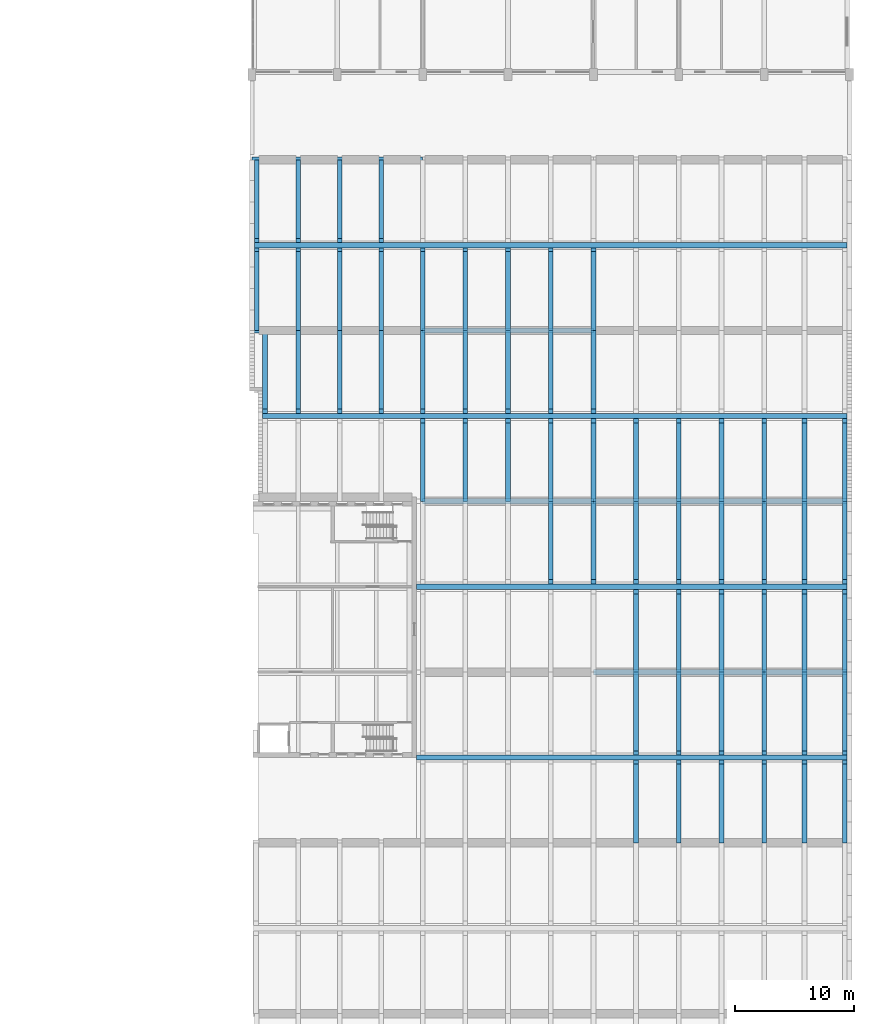
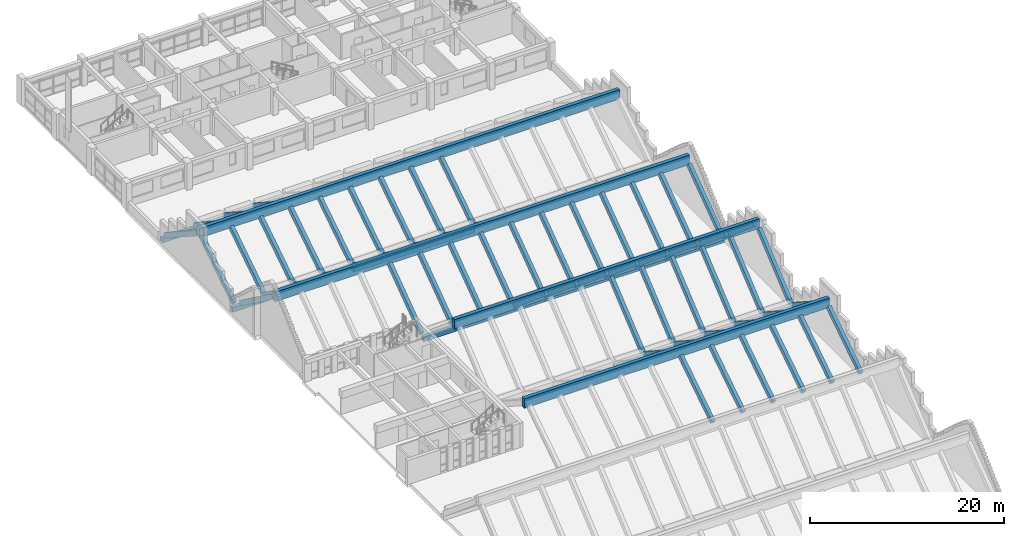
# One storey, part 8 of 31: 71 beams.
"""IFC4 building model written with IfcOpenShell, lengths in metres."""

from ifc_helpers import new_model, si_unit, direction, frame, origin, origin_2d, place, context, subcontext, project, spatial, rectangle, extrude, material, material_profile, profile_set, type_object, element, save


model = new_model("IFC4")

# Units and contexts
model_context = context("Model", 3, precision=1e-05, world=origin(), true_north=direction((0.0, 1.0)))
body_context = subcontext(model_context, "Body", "Model", "MODEL_VIEW")
ifc_project = project(units=[si_unit("LENGTHUNIT", "METRE"), si_unit("AREAUNIT", "SQUARE_METRE"), si_unit("VOLUMEUNIT", "CUBIC_METRE"), si_unit("PLANEANGLEUNIT", "RADIAN"), si_unit("MASSUNIT", "GRAM", prefix="KILO")], contexts=[model_context])

# Site, building, storey
site_placement = place(None, origin())
site = spatial("IfcSite", under=ifc_project, at=site_placement, CompositionType="ELEMENT")
building_placement = place(site_placement, origin())
building = spatial("IfcBuilding", under=site, at=building_placement, Name="Vermilion Court Aquatics Centre", CompositionType="ELEMENT")
storey_placement = place(building_placement, frame((0.0, 0.0, 16.5)))
storey = spatial("IfcBuildingStorey", under=building, at=storey_placement, Name="L03", CompositionType="ELEMENT", Elevation=16.5)

# Beams
ifc_material_1 = material(Name="Concrete 5000 psi", Category="concrete")
ifc_material_profile_1 = material_profile(ifc_material_1, rectangle(XDim=0.39990234375, YDim=0.60009765625, at=origin_2d()), Name="RC 400x600")
ifc_profile_set_1 = profile_set([ifc_material_profile_1], Name="Concrete 5000 psi")
beam_type_1 = type_object("IfcBeamType", Name="Podium roof rafter RC 400x600", PredefinedType="BEAM", material=ifc_profile_set_1)
for number, where, z_axis, x_axis, name in (
    (1, (176.39990234375, 28.9638671875, 0.8515625), (0.0, 0.83866661958, 0.544645114916), (-1.0, 0.0, 0.0), "Roof rafter"),
    (2, (176.39990234375, 43.0361328125, 0.8515625), (0.0, -0.83866661958, 0.544645114916), (1.0, 0.0, 0.0), "Roof rafter"),
    (3, (180.0, 28.9638671875, 0.8515625), (0.0, 0.83866661958, 0.544645114916), (-1.0, 0.0, 0.0), "Roof rafter"),
    (4, (180.0, 43.0361328125, 0.8515625), (0.0, -0.83866661958, 0.544645114916), (1.0, 0.0, 0.0), "Roof rafter"),
    (5, (183.60009765625, 28.9638671875, 0.8515625), (0.0, 0.83866661958, 0.544645114916), (-1.0, 0.0, 0.0), "Roof rafter"),
    (6, (183.60009765625, 43.0361328125, 0.8515625), (0.0, -0.83866661958, 0.544645114916), (1.0, 0.0, 0.0), "Roof rafter"),
    (7, (187.199951171875, 28.9638671875, 0.8515625), (0.0, 0.83866661958, 0.544645114916), (-1.0, 0.0, 0.0), "Roof rafter"),
    (8, (187.199951171875, 43.0361328125, 0.8515625), (0.0, -0.83866661958, 0.544645114916), (1.0, 0.0, 0.0), "Roof rafter"),
    (9, (190.60009765625, 28.9638671875, 0.8515625), (0.0, 0.83866661958, 0.544645114916), (-1.0, 0.0, 0.0), "Roof rafter"),
    (10, (190.60009765625, 43.0361328125, 0.8515625), (0.0, -0.83866661958, 0.544645114916), (1.0, 0.0, 0.0), "Roof rafter"),
    (11, (194.0, 28.9638671875, 0.8515625), (0.0, 0.83866661958, 0.544645114916), (-1.0, 0.0, 0.0), "Roof rafter"),
    (12, (194.0, 43.0361328125, 0.8515625), (0.0, -0.83866661958, 0.544645114916), (1.0, 0.0, 0.0), "Roof rafter"),
):
    element("IfcBeam", number, at=place(storey_placement, frame(where, z_axis=z_axis, x_axis=x_axis)), inside=storey, type_object=beam_type_1, Name=name, PredefinedType="BEAM", context=body_context, shape_type="SweptSolid", body=[
        extrude(rectangle(XDim=0.39990234375, YDim=0.60009765625, at=origin_2d()), origin(), (0.0, 0.0, 1.0), 7.926513671875),
    ])
for number, where, z_axis, x_axis, name in (
    (13, (169.199951171875, 57.40673828125, 0.829833984375), (0.0, -0.76605312053, 0.642777268209), (1.0, 0.0, 0.0), "Roof rafter"),
    (14, (172.800048828125, 57.40673828125, 0.829833984375), (0.0, -0.76605312053, 0.642777268209), (1.0, 0.0, 0.0), "Roof rafter"),
    (15, (176.39990234375, 43.393310546875, 0.829833984375), (0.0, 0.76605312053, 0.642777268209), (-1.0, 0.0, 0.0), "Roof rafter"),
    (16, (176.39990234375, 57.40673828125, 0.829833984375), (0.0, -0.76605312053, 0.642777268209), (1.0, 0.0, 0.0), "Roof rafter"),
    (17, (180.0, 43.393310546875, 0.829833984375), (0.0, 0.76605312053, 0.642777268209), (-1.0, 0.0, 0.0), "Roof rafter"),
    (18, (180.0, 57.40673828125, 0.829833984375), (0.0, -0.76605312053, 0.642777268209), (1.0, 0.0, 0.0), "Roof rafter"),
    (19, (183.60009765625, 43.393310546875, 0.829833984375), (0.0, 0.76605312053, 0.642777268209), (-1.0, 0.0, 0.0), "Roof rafter"),
    (20, (183.60009765625, 57.40673828125, 0.829833984375), (0.0, -0.76605312053, 0.642777268209), (1.0, 0.0, 0.0), "Roof rafter"),
    (21, (187.199951171875, 43.393310546875, 0.829833984375), (0.0, 0.76605312053, 0.642777268209), (-1.0, 0.0, 0.0), "Roof rafter"),
    (22, (187.199951171875, 57.40673828125, 0.829833984375), (0.0, -0.76605312053, 0.642777268209), (1.0, 0.0, 0.0), "Roof rafter"),
    (23, (190.60009765625, 43.393310546875, 0.829833984375), (0.0, 0.76605312053, 0.642777268209), (-1.0, 0.0, 0.0), "Roof rafter"),
    (24, (190.60009765625, 57.40673828125, 0.829833984375), (0.0, -0.76605312053, 0.642777268209), (1.0, 0.0, 0.0), "Roof rafter"),
    (25, (194.0, 43.393310546875, 0.829833984375), (0.0, 0.76605312053, 0.642777268209), (-1.0, 0.0, 0.0), "Roof rafter"),
    (26, (194.0, 57.40673828125, 0.829833984375), (0.0, -0.76605312053, 0.642777268209), (1.0, 0.0, 0.0), "Roof rafter"),
):
    element("IfcBeam", number, at=place(storey_placement, frame(where, z_axis=z_axis, x_axis=x_axis)), inside=storey, type_object=beam_type_1, Name=name, PredefinedType="BEAM", context=body_context, shape_type="SweptSolid", body=[
        extrude(rectangle(XDim=0.39990234375, YDim=0.60009765625, at=origin_2d()), origin(), (0.0, 0.0, 1.0), 8.60107421875),
    ])
for number, where, z_axis, x_axis, name in (
    (27, (145.10009765625, 71.8232421875, 0.8427734375), (0.0, -0.809017178583, 0.587784998752), (1.0, 0.0, 0.0), "Roof rafter"),
    (28, (147.89990234375, 71.8232421875, 0.8427734375), (0.0, -0.809017178583, 0.587784998752), (1.0, 0.0, 0.0), "Roof rafter"),
    (29, (151.39990234375, 71.8232421875, 0.8427734375), (0.0, -0.809017178583, 0.587784998752), (1.0, 0.0, 0.0), "Roof rafter"),
    (30, (154.89990234375, 71.8232421875, 0.8427734375), (0.0, -0.809017178583, 0.587784998752), (1.0, 0.0, 0.0), "Roof rafter"),
    (31, (158.39990234375, 57.77685546875, 0.8427734375), (0.0, 0.809017178583, 0.587784998752), (-1.0, 0.0, 0.0), "Roof rafter"),
    (32, (158.39990234375, 71.8232421875, 0.8427734375), (0.0, -0.809017178583, 0.587784998752), (1.0, 0.0, 0.0), "Roof rafter"),
    (33, (162.0, 57.77685546875, 0.8427734375), (0.0, 0.809017178583, 0.587784998752), (-1.0, 0.0, 0.0), "Roof rafter"),
    (34, (162.0, 71.8232421875, 0.8427734375), (0.0, -0.809017178583, 0.587784998752), (1.0, 0.0, 0.0), "Roof rafter"),
    (35, (165.60009765625, 57.77685546875, 0.8427734375), (0.0, 0.809017178583, 0.587784998752), (-1.0, 0.0, 0.0), "Roof rafter"),
    (36, (165.60009765625, 71.8232421875, 0.8427734375), (0.0, -0.809017178583, 0.587784998752), (1.0, 0.0, 0.0), "Roof rafter"),
    (37, (169.199951171875, 57.77685546875, 0.8427734375), (0.0, 0.809017178583, 0.587784998752), (-1.0, 0.0, 0.0), "Roof rafter"),
    (38, (169.199951171875, 71.8232421875, 0.8427734375), (0.0, -0.809017178583, 0.587784998752), (1.0, 0.0, 0.0), "Roof rafter"),
    (39, (172.800048828125, 57.77685546875, 0.8427734375), (0.0, 0.809017178583, 0.587784998752), (-1.0, 0.0, 0.0), "Roof rafter"),
    (40, (172.800048828125, 71.8232421875, 0.8427734375), (0.0, -0.809017178583, 0.587784998752), (1.0, 0.0, 0.0), "Roof rafter"),
    (41, (176.39990234375, 57.77685546875, 0.8427734375), (0.0, 0.809017178583, 0.587784998752), (-1.0, 0.0, 0.0), "Roof rafter"),
    (42, (180.0, 57.77685546875, 0.8427734375), (0.0, 0.809017178583, 0.587784998752), (-1.0, 0.0, 0.0), "Roof rafter"),
    (43, (183.60009765625, 57.77685546875, 0.8427734375), (0.0, 0.809017178583, 0.587784998752), (-1.0, 0.0, 0.0), "Roof rafter"),
    (44, (187.199951171875, 57.77685546875, 0.8427734375), (0.0, 0.809017178583, 0.587784998752), (-1.0, 0.0, 0.0), "Roof rafter"),
    (45, (190.60009765625, 57.77685546875, 0.8427734375), (0.0, 0.809017178583, 0.587784998752), (-1.0, 0.0, 0.0), "Roof rafter"),
    (46, (194.0, 57.77685546875, 0.8427734375), (0.0, 0.809017178583, 0.587784998752), (-1.0, 0.0, 0.0), "Roof rafter"),
):
    element("IfcBeam", number, at=place(storey_placement, frame(where, z_axis=z_axis, x_axis=x_axis)), inside=storey, type_object=beam_type_1, Name=name, PredefinedType="BEAM", context=body_context, shape_type="SweptSolid", body=[
        extrude(rectangle(XDim=0.39990234375, YDim=0.60009765625, at=origin_2d()), origin(), (0.0, 0.0, 1.0), 8.18505859375),
    ])
for number, where, z_axis, x_axis, name in (
    (47, (144.39990234375, 72.163818359375, 0.8515625), (0.0, 0.83866661958, 0.544645114916), (-1.0, 0.0, 0.0), "Roof rafter"),
    (48, (144.39990234375, 86.236083984375, 0.8515625), (0.0, -0.83866661958, 0.544645114916), (1.0, 0.0, 0.0), "Roof rafter"),
    (49, (147.89990234375, 72.163818359375, 0.8515625), (0.0, 0.83866661958, 0.544645114916), (-1.0, 0.0, 0.0), "Roof rafter"),
    (50, (147.89990234375, 86.236083984375, 0.8515625), (0.0, -0.83866661958, 0.544645114916), (1.0, 0.0, 0.0), "Roof rafter"),
    (51, (151.39990234375, 72.163818359375, 0.8515625), (0.0, 0.83866661958, 0.544645114916), (-1.0, 0.0, 0.0), "Roof rafter"),
    (52, (151.39990234375, 86.236083984375, 0.8515625), (0.0, -0.83866661958, 0.544645114916), (1.0, 0.0, 0.0), "Roof rafter"),
    (53, (154.89990234375, 72.163818359375, 0.8515625), (0.0, 0.83866661958, 0.544645114916), (-1.0, 0.0, 0.0), "Roof rafter"),
    (54, (154.89990234375, 86.236083984375, 0.8515625), (0.0, -0.83866661958, 0.544645114916), (1.0, 0.0, 0.0), "Roof rafter"),
    (55, (158.39990234375, 72.163818359375, 0.8515625), (0.0, 0.83866661958, 0.544645114916), (-1.0, 0.0, 0.0), "Roof rafter"),
    (56, (162.0, 72.163818359375, 0.8515625), (0.0, 0.83866661958, 0.544645114916), (-1.0, 0.0, 0.0), "Roof rafter"),
    (57, (165.60009765625, 72.163818359375, 0.8515625), (0.0, 0.83866661958, 0.544645114916), (-1.0, 0.0, 0.0), "Roof rafter"),
    (58, (169.199951171875, 72.163818359375, 0.8515625), (0.0, 0.83866661958, 0.544645114916), (-1.0, 0.0, 0.0), "Roof rafter"),
    (59, (172.800048828125, 72.163818359375, 0.8515625), (0.0, 0.83866661958, 0.544645114916), (-1.0, 0.0, 0.0), "Roof rafter"),
):
    element("IfcBeam", number, at=place(storey_placement, frame(where, z_axis=z_axis, x_axis=x_axis)), inside=storey, type_object=beam_type_1, Name=name, PredefinedType="BEAM", context=body_context, shape_type="SweptSolid", body=[
        extrude(rectangle(XDim=0.39990234375, YDim=0.60009765625, at=origin_2d()), origin(), (0.0, 0.0, 1.0), 7.926513671875),
    ])
ifc_material_2 = material(Name="Concrete 5000 psi", Category="concrete")
ifc_material_profile_2 = material_profile(ifc_material_2, rectangle(XDim=0.449951171875, YDim=1.199951171875, at=origin_2d()), Name="RC 450x1200")
ifc_profile_set_2 = profile_set([ifc_material_profile_2], Name="Concrete 5000 psi")
beam_type_2 = type_object("IfcBeamType", Name="Podium roof ridge beam RC 450x1200", PredefinedType="BEAM", material=ifc_profile_set_2)
for number, where, z_axis, x_axis, name in (
    (60, (157.89990234375, 36.0, 5.51708984375), (1.0, 0.0, 0.0), (0.0, 1.0, 0.0), "Roof ridge beam"),
    (61, (157.89990234375, 50.39990234375, 6.728759765625), (1.0, 0.0, 0.0), (0.0, 1.0, 0.0), "Roof ridge beam"),
):
    element("IfcBeam", number, at=place(storey_placement, frame(where, z_axis=z_axis, x_axis=x_axis)), inside=storey, type_object=beam_type_2, Name=name, PredefinedType="BEAM", context=body_context, shape_type="SweptSolid", body=[
        extrude(rectangle(XDim=0.449951171875, YDim=1.199951171875, at=origin_2d()), origin(), (0.0, 0.0, 1.0), 36.300048828125),
    ])
beam_1_placement = place(storey_placement, frame((144.89990234375, 64.800048828125, 6.010986328125), z_axis=(1.0, 0.0, 0.0), x_axis=(0.0, 1.0, 0.0)))
element("IfcBeam", 62, at=beam_1_placement, inside=storey, type_object=beam_type_2, Name="Roof ridge beam", PredefinedType="BEAM", context=body_context, shape_type="SweptSolid", body=[
    extrude(rectangle(XDim=0.449951171875, YDim=1.199951171875, at=origin_2d()), origin(), (0.0, 0.0, 1.0), 49.300048828125),
])
beam_2_placement = place(storey_placement, frame((144.199951171875, 79.199951171875, 5.51708984375), z_axis=(1.0, 0.0, 0.0), x_axis=(0.0, 1.0, 0.0)))
element("IfcBeam", 63, at=beam_2_placement, inside=storey, type_object=beam_type_2, Name="Roof ridge beam", PredefinedType="BEAM", context=body_context, shape_type="SweptSolid", body=[
    extrude(rectangle(XDim=0.449951171875, YDim=1.199951171875, at=origin_2d()), origin(), (0.0, 0.0, 1.0), 50.0),
])
ifc_material_3 = material(Name="Concrete 5000 psi", Category="concrete")
ifc_material_profile_3 = material_profile(ifc_material_3, rectangle(XDim=0.449951171875, YDim=0.60009765625, at=origin_2d()), Name="RC 450x600")
ifc_profile_set_3 = profile_set([ifc_material_profile_3], Name="Concrete 5000 psi")
beam_type_3 = type_object("IfcBeamType", Name="Podium roof valley beam RC 450x600", PredefinedType="BEAM", material=ifc_profile_set_3)
beam_3_placement = place(storey_placement, frame((172.800048828125, 43.199951171875, 0.300048828125), z_axis=(1.0, 0.0, 0.0), x_axis=(0.0, 1.0, 0.0)))
element("IfcBeam", 64, at=beam_3_placement, inside=storey, type_object=beam_type_3, Name="Roof valley beam", PredefinedType="BEAM", context=body_context, shape_type="SweptSolid", body=[
    extrude(rectangle(XDim=0.449951171875, YDim=0.60009765625, at=origin_2d()), origin(), (0.0, 0.0, 1.0), 14.39990234375),
])
beam_4_placement = place(storey_placement, frame((187.199951171875, 43.199951171875, 0.300048828125), z_axis=(1.0, 0.0, 0.0), x_axis=(0.0, 1.0, 0.0)))
element("IfcBeam", 65, at=beam_4_placement, inside=storey, type_object=beam_type_3, Name="Roof valley beam", PredefinedType="BEAM", context=body_context, shape_type="SweptSolid", body=[
    extrude(rectangle(XDim=0.449951171875, YDim=0.60009765625, at=origin_2d()), origin(), (0.0, 0.0, 1.0), 7.0),
])
beam_5_placement = place(storey_placement, frame((158.39990234375, 57.60009765625, 0.300048828125), z_axis=(1.0, 0.0, 0.0), x_axis=(0.0, 1.0, 0.0)))
element("IfcBeam", 66, at=beam_5_placement, inside=storey, type_object=beam_type_3, Name="Roof valley beam", PredefinedType="BEAM", context=body_context, shape_type="SweptSolid", body=[
    extrude(rectangle(XDim=0.449951171875, YDim=0.60009765625, at=origin_2d()), origin(), (0.0, 0.0, 1.0), 14.400146484375),
])
beam_6_placement = place(storey_placement, frame((172.800048828125, 57.60009765625, 0.300048828125), z_axis=(1.0, 0.0, 0.0), x_axis=(0.0, 1.0, 0.0)))
element("IfcBeam", 67, at=beam_6_placement, inside=storey, type_object=beam_type_3, Name="Roof valley beam", PredefinedType="BEAM", context=body_context, shape_type="SweptSolid", body=[
    extrude(rectangle(XDim=0.449951171875, YDim=0.60009765625, at=origin_2d()), origin(), (0.0, 0.0, 1.0), 14.39990234375),
])
beam_7_placement = place(storey_placement, frame((187.199951171875, 57.60009765625, 0.300048828125), z_axis=(1.0, 0.0, 0.0), x_axis=(0.0, 1.0, 0.0)))
element("IfcBeam", 68, at=beam_7_placement, inside=storey, type_object=beam_type_3, Name="Roof valley beam", PredefinedType="BEAM", context=body_context, shape_type="SweptSolid", body=[
    extrude(rectangle(XDim=0.449951171875, YDim=0.60009765625, at=origin_2d()), origin(), (0.0, 0.0, 1.0), 7.0),
])
beam_8_placement = place(storey_placement, frame((144.0, 72.0, 0.300048828125), z_axis=(1.0, 0.0, 0.0), x_axis=(0.0, 1.0, 0.0)))
element("IfcBeam", 69, at=beam_8_placement, inside=storey, type_object=beam_type_3, Name="Roof valley beam", PredefinedType="BEAM", context=body_context, shape_type="SweptSolid", body=[
    extrude(rectangle(XDim=0.449951171875, YDim=0.60009765625, at=origin_2d()), origin(), (0.0, 0.0, 1.0), 14.39990234375),
])
beam_9_placement = place(storey_placement, frame((158.39990234375, 72.0, 0.300048828125), z_axis=(1.0, 0.0, 0.0), x_axis=(0.0, 1.0, 0.0)))
element("IfcBeam", 70, at=beam_9_placement, inside=storey, type_object=beam_type_3, Name="Roof valley beam", PredefinedType="BEAM", context=body_context, shape_type="SweptSolid", body=[
    extrude(rectangle(XDim=0.449951171875, YDim=0.60009765625, at=origin_2d()), origin(), (0.0, 0.0, 1.0), 14.400146484375),
])
beam_10_placement = place(storey_placement, frame((144.0, 86.39990234375, 0.300048828125), z_axis=(1.0, 0.0, 0.0), x_axis=(0.0, 1.0, 0.0)))
element("IfcBeam", 71, at=beam_10_placement, inside=storey, type_object=beam_type_3, Name="Roof valley beam", PredefinedType="BEAM", context=body_context, shape_type="SweptSolid", body=[
    extrude(rectangle(XDim=0.449951171875, YDim=0.60009765625, at=origin_2d()), origin(), (0.0, 0.0, 1.0), 14.39990234375),
])

save(model, "model.ifc")
